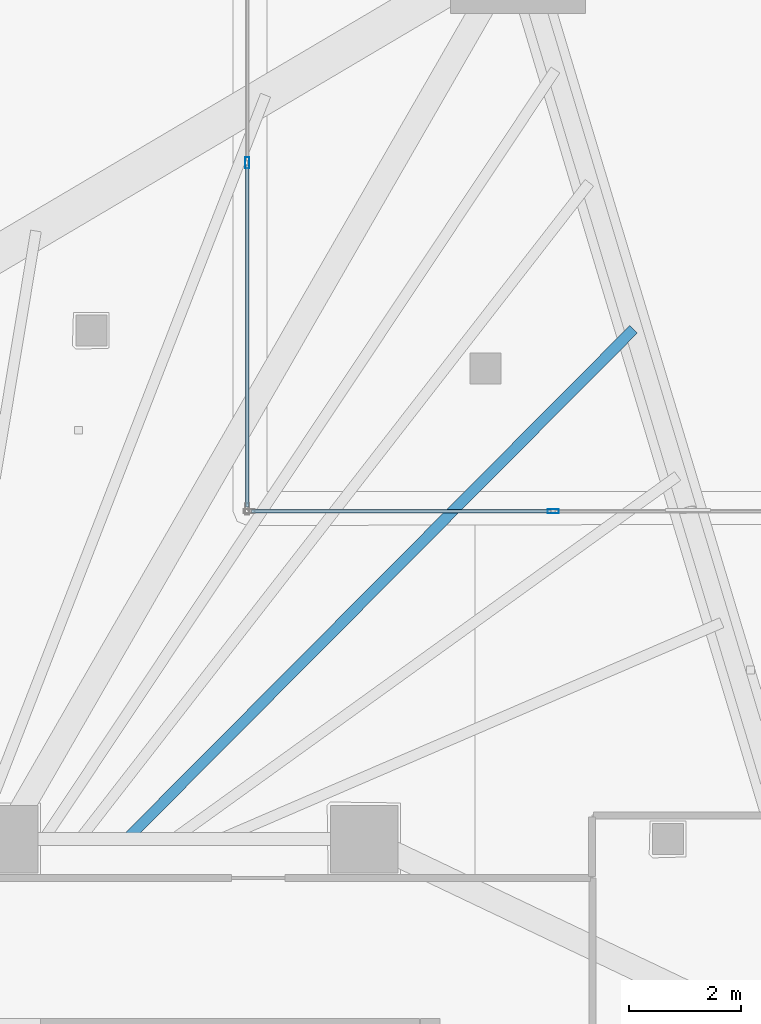
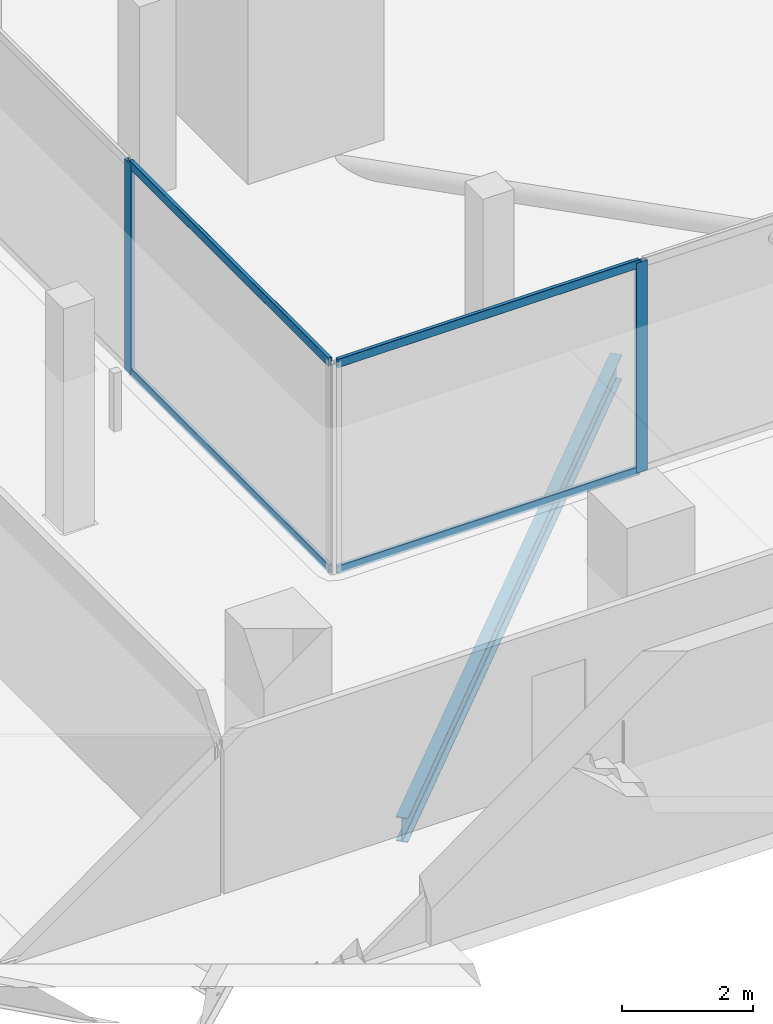
# One storey, part 19 of 44: 6 members, 1 beam, 2 elements without a shape of their own.
"""IFC4 building model written with IfcOpenShell, lengths in metres."""

import ifcopenshell
import ifcopenshell.guid

model = None  # the IFC model being written
_history = None  # IfcOwnerHistory: only IFC2X3 demands one
_inside = {}  # id of a spatial element -> (the spatial element, [elements in it])
_under = {}  # id of a project, library or spatial element -> (it, [spatial elements below it])
_declared = {}  # id of a project -> (the project, [libraries it declares])
_typed = {}  # id of a type object -> (the type object, [elements of that type])
_made_of = {}  # id of a material, layer set ... -> (it, [elements and type objects made of it])


def new_model(schema):
    """Start an empty IFC model of exactly this schema.

    Asked for "IFC4X3", IfcOpenShell would pick the latest addendum, in which some entities
    have other attributes; the version numbers below select the first issue.
    IFC2X3 requires an IfcOwnerHistory on every rooted entity: one is made here for all.
    """
    global model, _history
    if schema == "IFC4X3":
        model = ifcopenshell.file(schema_version=(4, 3, 0, 0))
    else:
        model = ifcopenshell.file(schema=schema)
    _inside.clear()
    _under.clear()
    _declared.clear()
    _typed.clear()
    _made_of.clear()
    _history = None
    if model.schema == "IFC2X3":
        org = make("IfcOrganization", Name="unknown")
        user = make(
            "IfcPersonAndOrganization",
            ThePerson=make("IfcPerson", FamilyName="unknown"),
            TheOrganization=org,
        )
        app = make(
            "IfcApplication",
            ApplicationDeveloper=org,
            Version="unknown",
            ApplicationFullName="unknown",
            ApplicationIdentifier="unknown",
        )
        _history = make(
            "IfcOwnerHistory",
            OwningUser=user,
            OwningApplication=app,
            ChangeAction="ADDED",
            CreationDate=0,
        )
    return model


def make(cls, **values):
    """One entity of the class cls with the attributes given. An attribute that is None is left unset."""
    return model.create_entity(
        cls, **{name: value for name, value in values.items() if value is not None}
    )


def rooted(cls, **values):
    """An entity with a GlobalId (a new one), such as an element, a storey or a relation."""
    return make(cls, GlobalId=ifcopenshell.guid.new(), OwnerHistory=_history, **values)


def si_unit(unit_type, name, prefix=None):
    """IfcSIUnit, for example si_unit("LENGTHUNIT", "METRE", prefix="MILLI")."""
    return make("IfcSIUnit", UnitType=unit_type, Prefix=prefix, Name=name)


def assignment(units):
    """IfcUnitAssignment: the units of a project."""
    return None if units is None else make("IfcUnitAssignment", Units=units)


def point(xyz):
    """IfcCartesianPoint."""
    return None if xyz is None else make("IfcCartesianPoint", Coordinates=xyz)


def direction(xyz):
    """IfcDirection."""
    return None if xyz is None else make("IfcDirection", DirectionRatios=xyz)


def frame(location, z_axis=None, x_axis=None):
    """IfcAxis2Placement3D, a coordinate frame: its origin and axes. An axis left out is left unset."""
    return make(
        "IfcAxis2Placement3D",
        Location=point(location),
        Axis=direction(z_axis),
        RefDirection=direction(x_axis),
    )


def frame_2d(location, x_axis=None):
    """IfcAxis2Placement2D, a coordinate frame in the plane: its origin and x axis."""
    return make(
        "IfcAxis2Placement2D", Location=point(location), RefDirection=direction(x_axis)
    )


def origin():
    """The frame at (0, 0, 0) with its axes left unset."""
    return frame((0.0, 0.0, 0.0))


def origin_2d():
    """The frame at (0, 0) in the plane with its x axis left unset."""
    return frame_2d((0.0, 0.0))


def place(relative_to, where):
    """IfcLocalPlacement: puts the frame where relative to a parent placement (None: the world)."""
    return make(
        "IfcLocalPlacement", PlacementRelTo=relative_to, RelativePlacement=where
    )


def context(
    kind, dimensions, precision=None, world=None, true_north=None, identifier=None
):
    """IfcGeometricRepresentationContext, for example the 3D "Model" context."""
    return make(
        "IfcGeometricRepresentationContext",
        ContextIdentifier=identifier,
        ContextType=kind,
        CoordinateSpaceDimension=dimensions,
        Precision=precision,
        WorldCoordinateSystem=world,
        TrueNorth=true_north,
    )


def subcontext(parent, identifier, kind, view, scale=None):
    """IfcGeometricRepresentationSubContext, for example "Body" below "Model"."""
    return make(
        "IfcGeometricRepresentationSubContext",
        ContextIdentifier=identifier,
        ContextType=kind,
        ParentContext=parent,
        TargetScale=scale,
        TargetView=view,
    )


def project(units=None, contexts=None):
    """IfcProject with its units and contexts."""
    return rooted(
        "IfcProject",
        Name="project",
        RepresentationContexts=contexts,
        UnitsInContext=assignment(units),
    )


def spatial(cls, under=None, at=None, **own):
    """A site, building, storey or space (cls), placed at a placement, below another one or the project."""
    s = rooted(cls, ObjectPlacement=at, **own)
    if under is not None:
        _under.setdefault(under.id(), (under, []))[1].append(s)
    return s


def profile(cls, at=None, kind="AREA", **sizes):
    """A parametric profile (cls). Its sizes go by their IFC names, for example OverallWidth=200.0."""
    return make(cls, ProfileType=kind, Position=at, **sizes)


def hollow_rectangle(**sizes):
    """IfcRectangleHollowProfileDef."""
    return profile("IfcRectangleHollowProfileDef", **sizes)


def i_section(**sizes):
    """IfcIShapeProfileDef."""
    return profile("IfcIShapeProfileDef", **sizes)


def extrude(swept, where, along, depth):
    """IfcExtrudedAreaSolid: the profile swept, set in the frame where, extruded along a direction by depth."""
    return make(
        "IfcExtrudedAreaSolid",
        SweptArea=swept,
        Position=where,
        ExtrudedDirection=direction(along),
        Depth=depth,
    )


def shape(context_of_items, identifier, shape_type, items):
    """IfcShapeRepresentation: the items that make up one representation, for example the "Body"."""
    return make(
        "IfcShapeRepresentation",
        ContextOfItems=context_of_items,
        RepresentationIdentifier=identifier,
        RepresentationType=shape_type,
        Items=items,
    )


def material(Name=None, Category=None):
    """IfcMaterial."""
    return make("IfcMaterial", Name=Name, Category=Category)


def layer(
    of_material, thickness, ventilated=None, Name=None, Category=None, Priority=None
):
    """IfcMaterialLayer: one layer of a wall or slab, of a material (None: an air gap)."""
    return make(
        "IfcMaterialLayer",
        Material=of_material,
        LayerThickness=thickness,
        IsVentilated=ventilated,
        Name=Name,
        Category=Category,
        Priority=Priority,
    )


def layer_set(layers, Name=None):
    """IfcMaterialLayerSet."""
    return make("IfcMaterialLayerSet", MaterialLayers=layers, LayerSetName=Name)


def material_profile(
    of_material, cross_section, Name=None, Category=None, Priority=None
):
    """IfcMaterialProfile: a cross section and its material."""
    return make(
        "IfcMaterialProfile",
        Name=Name,
        Material=of_material,
        Profile=cross_section,
        Priority=Priority,
        Category=Category,
    )


def profile_set(profiles, Name=None, composite=None):
    """IfcMaterialProfileSet."""
    return make(
        "IfcMaterialProfileSet",
        Name=Name,
        MaterialProfiles=profiles,
        CompositeProfile=composite,
    )


def made_of(thing, what):
    """Note that an element or type object is made of a material, layer set ...; save() writes the relation."""
    if what is not None:
        _made_of.setdefault(what.id(), (what, []))[1].append(thing)
    return thing


def type_object(cls, material=None, **own):
    """A type object (cls), such as IfcWallType, which elements share."""
    return made_of(rooted(cls, **own), material)


def element(
    cls,
    number,
    at=None,
    inside=None,
    cuts=None,
    type_object=None,
    material=None,
    context=None,
    identifier="Body",
    shape_type=None,
    held_by="IfcProductDefinitionShape",
    body=None,
    shapes=None,
    **own,
):
    """One element of the class cls, such as IfcWall. Its Tag is "e" and its number.

    at: its placement. inside: the storey or other place that contains it. cuts: it is an
    opening in that element (IfcRelVoidsElement). A single representation is given by context,
    identifier, shape_type and body (its items); several are given by shapes. held_by: the class
    of the entity that holds the representations. save() writes the other relations.
    """
    e = rooted(cls, Tag="e%d" % number, ObjectPlacement=at, **own)
    if body is not None:
        shapes = [shape(context, identifier, shape_type, body)]
    if shapes is not None:
        e.Representation = make(held_by, Representations=shapes)
    if inside is not None:
        _inside.setdefault(inside.id(), (inside, []))[1].append(e)
    if cuts is not None:
        rooted(
            "IfcRelVoidsElement", RelatingBuildingElement=cuts, RelatedOpeningElement=e
        )
    if type_object is not None:
        _typed.setdefault(type_object.id(), (type_object, []))[1].append(e)
    return made_of(e, material)


def aggregate(whole, parts):
    """IfcRelAggregates: a whole, such as a stair, and the parts it consists of."""
    return rooted("IfcRelAggregates", RelatingObject=whole, RelatedObjects=parts)


def save(model, path):
    """Write the relations noted so far, then the file.

    IfcRelAggregates (storeys below a building ...), IfcRelContainedInSpatialStructure (elements
    in a storey), IfcRelDefinesByType, IfcRelAssociatesMaterial and IfcRelDeclares: one each for
    every whole, place, type object, material and project.
    """
    for whole, parts in _under.values():
        aggregate(whole, parts)
    for where, things in _inside.values():
        rooted(
            "IfcRelContainedInSpatialStructure",
            RelatedElements=things,
            RelatingStructure=where,
        )
    for kind, things in _typed.values():
        rooted("IfcRelDefinesByType", RelatedObjects=things, RelatingType=kind)
    for what, things in _made_of.values():
        rooted("IfcRelAssociatesMaterial", RelatedObjects=things, RelatingMaterial=what)
    for by, libraries in _declared.values():
        rooted("IfcRelDeclares", RelatingContext=by, RelatedDefinitions=libraries)
    model.write(path)


model = new_model("IFC4")

# Units and contexts
model_context = context("Model", 3, precision=1e-05, world=origin(), true_north=direction((0.0, 1.0)))
body_context = subcontext(model_context, "Body", "Model", "MODEL_VIEW")
ifc_project = project(units=[si_unit("LENGTHUNIT", "METRE"), si_unit("AREAUNIT", "SQUARE_METRE"), si_unit("VOLUMEUNIT", "CUBIC_METRE"), si_unit("PLANEANGLEUNIT", "RADIAN"), si_unit("MASSUNIT", "GRAM", prefix="KILO")], contexts=[model_context])

# Site, building, storey
site_placement = place(None, origin())
site = spatial("IfcSite", under=ifc_project, at=site_placement, CompositionType="ELEMENT")
building_placement = place(site_placement, origin())
building = spatial("IfcBuilding", under=site, at=building_placement, Name="Qorvath Tower", CompositionType="ELEMENT")
storey_placement = place(building_placement, frame((0.0, 0.0, 78.60009765625)))
storey = spatial("IfcBuildingStorey", under=building, at=storey_placement, Name="L17", CompositionType="ELEMENT", Elevation=78.60009765625)

# Beam
ifc_material_1 = material(Name="Steel ASTM A992 Grade 50", Category="steel")
ifc_material_profile_1 = material_profile(ifc_material_1, i_section(OverallWidth=0.18994140625, OverallDepth=0.45703125, WebThickness=0.009033203125, FlangeThickness=0.014404296875, FilletRadius=0.011962890625, at=origin_2d()), Name="W18x50")
ifc_profile_set_1 = profile_set([ifc_material_profile_1], Name="Steel ASTM A992 Grade 50")
beam_type = type_object("IfcBeamType", Name="BM-FJ2", PredefinedType="JOIST", material=ifc_profile_set_1)
beam_placement = place(storey_placement, frame((-21.424072265625, 11.449951171875, -0.508544921875), z_axis=(0.705107654599, 0.709100271771, 0.0), x_axis=(-0.709100271771, 0.705107654599, 0.0)))
element("IfcBeam", 1, at=beam_placement, inside=storey, type_object=beam_type, Name="Composite Floor Joist NE5 L17", PredefinedType="JOIST", context=body_context, shape_type="SweptSolid", body=[
    extrude(i_section(OverallWidth=0.18994140625, OverallDepth=0.45703125, WebThickness=0.009033203125, FlangeThickness=0.014404296875, FilletRadius=0.011962890625, at=origin_2d()), origin(), (0.0, 0.0, 1.0), 12.780029296875),
])

# Curtain wall, member
ifc_material_2 = material(Name="Anodised aluminium and triple low-E glass", Category="aluminium")
ifc_layer = layer(ifc_material_2, 0.179931640625)
ifc_layer_set = layer_set([ifc_layer], Name="CW-SYS-5")
curtain_wall_type = type_object("IfcCurtainWallType", Name="CW-SYS-5", PredefinedType="NOTDEFINED", material=ifc_layer_set)
curtain_wall_1_placement = place(storey_placement, origin())
curtain_wall_1 = element("IfcCurtainWall", 2, at=curtain_wall_1_placement, inside=storey, type_object=curtain_wall_type, Name="Curtain Wall CW-5 CW-T-L17-2.1", PredefinedType="NOTDEFINED")
ifc_material_3 = material(Name="Anodised aluminium 6063-T6", Category="aluminium")
ifc_material_profile_2 = material_profile(ifc_material_3, hollow_rectangle(XDim=0.074951171875, YDim=0.199951171875, WallThickness=0.00390625, InnerFilletRadius=0.00390625, OuterFilletRadius=0.008056640625, at=origin_2d()), Name="CWM 200x75")
ifc_profile_set_2 = profile_set([ifc_material_profile_2], Name="Anodised aluminium 6063-T6")
member_type_1 = type_object("IfcMemberType", Name="CWM-200", PredefinedType="MULLION", material=ifc_profile_set_2)
member_1_placement = place(storey_placement, frame((-13.840087890625, 17.280029296875, 0.0), z_axis=(0.0, 0.0, 1.0), x_axis=(0.0, -1.0, 0.0)))
member_1 = element("IfcMember", 3, at=member_1_placement, type_object=member_type_1, Name="CW-5 mullion 3", PredefinedType="MULLION", context=body_context, shape_type="SweptSolid", body=[
    extrude(hollow_rectangle(XDim=0.074951171875, YDim=0.199951171875, WallThickness=0.00390625, InnerFilletRadius=0.00390625, OuterFilletRadius=0.008056640625, at=origin_2d()), origin(), (0.0, 0.0, 1.0), 3.919921875),
])

curtain_wall_2_placement = place(storey_placement, origin())
curtain_wall_2 = element("IfcCurtainWall", 4, at=curtain_wall_2_placement, inside=storey, type_object=curtain_wall_type, Name="Curtain Wall CW-5 CW-T-L17-3.1", PredefinedType="NOTDEFINED")
member_2_placement = place(storey_placement, frame((-19.280029296875, 23.474853515625, 0.0), z_axis=(0.0, 0.0, 1.0), x_axis=(-1.0, 0.0, 0.0)))
member_2 = element("IfcMember", 5, at=member_2_placement, type_object=member_type_1, Name="CW-5 mullion 2", PredefinedType="MULLION", context=body_context, shape_type="SweptSolid", body=[
    extrude(hollow_rectangle(XDim=0.074951171875, YDim=0.199951171875, WallThickness=0.00390625, InnerFilletRadius=0.00390625, OuterFilletRadius=0.008056640625, at=origin_2d()), origin(), (0.0, 0.0, 1.0), 3.919921875),
])

# Member
ifc_material_4 = material(Name="Anodised aluminium 6063-T6", Category="aluminium")
ifc_material_profile_3 = material_profile(ifc_material_4, hollow_rectangle(XDim=0.06494140625, YDim=0.159912109375, WallThickness=0.00341796875, InnerFilletRadius=0.00341796875, OuterFilletRadius=0.007080078125, at=origin_2d()), Name="CWT 160x65")
ifc_profile_set_3 = profile_set([ifc_material_profile_3], Name="Anodised aluminium 6063-T6")
member_type_2 = type_object("IfcMemberType", Name="CWT-160", PredefinedType="USERDEFINED", material=ifc_profile_set_3)
member_3_placement = place(storey_placement, frame((-13.87744140625, 17.280029296875, 0.032470703125), z_axis=(-1.0, 0.0, 0.0), x_axis=(0.0, -1.0, 0.0)))
member_3 = element("IfcMember", 6, at=member_3_placement, type_object=member_type_2, Name="CW-5 transom 3.1", ObjectType="TRANSOM", PredefinedType="USERDEFINED", context=body_context, shape_type="SweptSolid", body=[
    extrude(hollow_rectangle(XDim=0.06494140625, YDim=0.159912109375, WallThickness=0.00341796875, InnerFilletRadius=0.00341796875, OuterFilletRadius=0.007080078125, at=origin_2d()), origin(), (0.0, 0.0, 1.0), 5.32763671875),
])

member_4_placement = place(storey_placement, frame((-13.87744140625, 17.280029296875, 3.887451171875), z_axis=(-1.0, 0.0, 0.0), x_axis=(0.0, -1.0, 0.0)))
member_4 = element("IfcMember", 7, at=member_4_placement, type_object=member_type_2, Name="CW-5 transom 3.2", ObjectType="TRANSOM", PredefinedType="USERDEFINED", context=body_context, shape_type="SweptSolid", body=[
    extrude(hollow_rectangle(XDim=0.06494140625, YDim=0.159912109375, WallThickness=0.00341796875, InnerFilletRadius=0.00341796875, OuterFilletRadius=0.007080078125, at=origin_2d()), origin(), (0.0, 0.0, 1.0), 5.32763671875),
])

aggregate(curtain_wall_1, [member_1, member_3, member_4])

member_5_placement = place(storey_placement, frame((-19.280029296875, 17.35498046875, 0.032470703125), z_axis=(0.0, 1.0, 0.0), x_axis=(-1.0, 0.0, 0.0)))
member_5 = element("IfcMember", 8, at=member_5_placement, type_object=member_type_2, Name="CW-5 transom 1.1", ObjectType="TRANSOM", PredefinedType="USERDEFINED", context=body_context, shape_type="SweptSolid", body=[
    extrude(hollow_rectangle(XDim=0.06494140625, YDim=0.159912109375, WallThickness=0.00341796875, InnerFilletRadius=0.00341796875, OuterFilletRadius=0.007080078125, at=origin_2d()), origin(), (0.0, 0.0, 1.0), 6.082275390625),
])

member_6_placement = place(storey_placement, frame((-19.280029296875, 17.35498046875, 3.887451171875), z_axis=(0.0, 1.0, 0.0), x_axis=(-1.0, 0.0, 0.0)))
member_6 = element("IfcMember", 9, at=member_6_placement, type_object=member_type_2, Name="CW-5 transom 1.2", ObjectType="TRANSOM", PredefinedType="USERDEFINED", context=body_context, shape_type="SweptSolid", body=[
    extrude(hollow_rectangle(XDim=0.06494140625, YDim=0.159912109375, WallThickness=0.00341796875, InnerFilletRadius=0.00341796875, OuterFilletRadius=0.007080078125, at=origin_2d()), origin(), (0.0, 0.0, 1.0), 6.082275390625),
])

aggregate(curtain_wall_2, [member_2, member_5, member_6])

save(model, "model.ifc")
